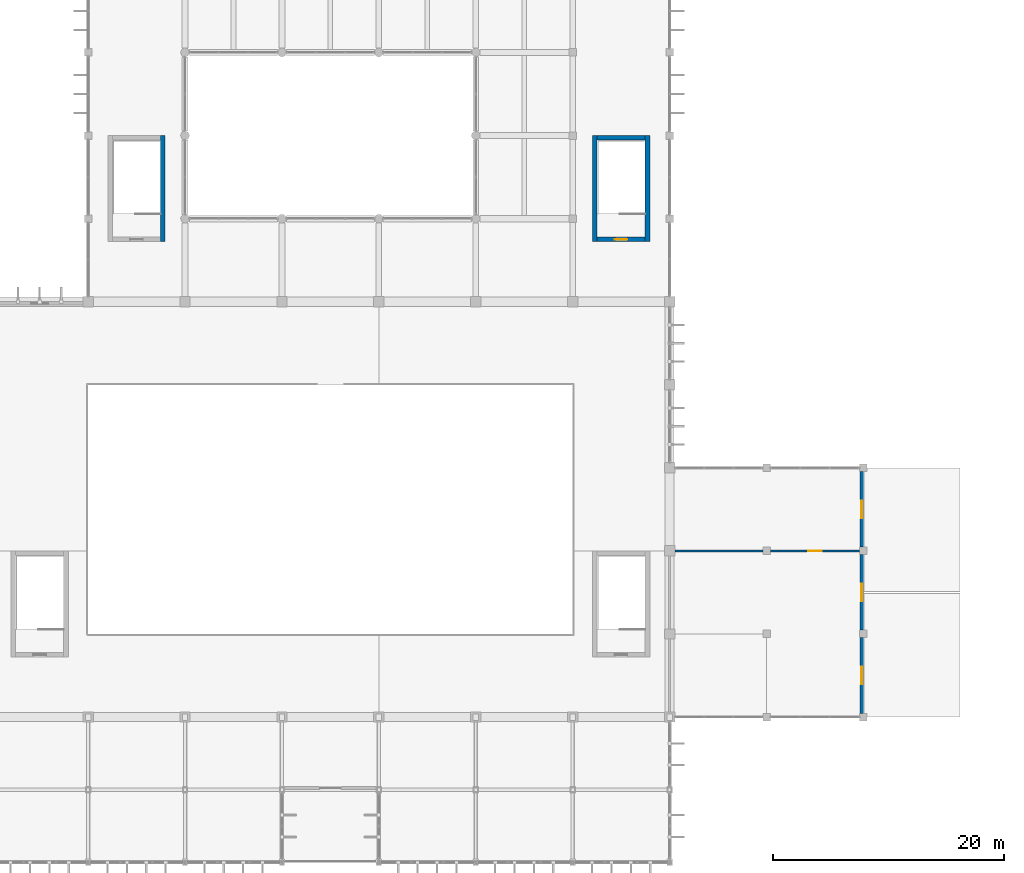
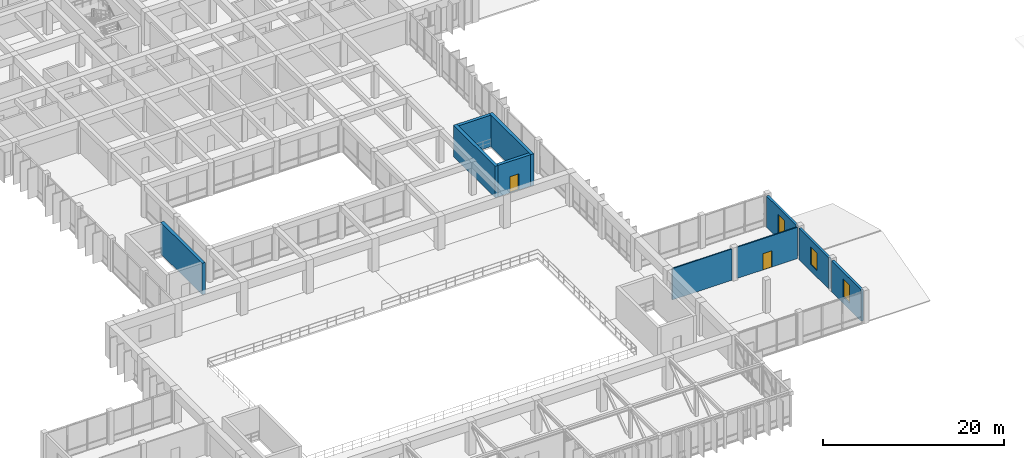
# One storey, part 27 of 40: 10 walls, 3 windows, 2 doors, 5 openings.
"""IFC4 building model written with IfcOpenShell, lengths in metres."""

from ifc_helpers import new_model, si_unit, direction, frame, frame_2d, origin, place, context, subcontext, project, spatial, rectangle, extrude, material, layer, layer_set, type_object, element, fill, save


model = new_model("IFC4")

# Units and contexts
model_context = context("Model", 3, precision=1e-05, world=origin(), true_north=direction((0.0, 1.0)))
body_context = subcontext(model_context, "Body", "Model", "MODEL_VIEW")
ifc_project = project(units=[si_unit("LENGTHUNIT", "METRE"), si_unit("AREAUNIT", "SQUARE_METRE"), si_unit("VOLUMEUNIT", "CUBIC_METRE"), si_unit("PLANEANGLEUNIT", "RADIAN"), si_unit("MASSUNIT", "GRAM", prefix="KILO")], contexts=[model_context])

# Site, building, storey
site_placement = place(None, origin())
site = spatial("IfcSite", under=ifc_project, at=site_placement, CompositionType="ELEMENT")
building_placement = place(site_placement, origin())
building = spatial("IfcBuilding", under=site, at=building_placement, Name="Kenerak Square Central Library", CompositionType="ELEMENT")
storey_placement = place(building_placement, frame((0.0, 0.0, 14.39990234375)))
storey = spatial("IfcBuildingStorey", under=building, at=storey_placement, Name="L03", CompositionType="ELEMENT", Elevation=14.39990234375)

# Wall
ifc_material_1 = material(Name="Precast concrete C40/50", Category="concrete")
ifc_layer_1 = layer(ifc_material_1, 0.14990234375)
ifc_layer_set_1 = layer_set([ifc_layer_1], Name="Precast concrete C40/50")
wall_type_1 = type_object("IfcWallType", Name="Acoustic Blockwork Partition IW-150 C40/50", PredefinedType="PARTITIONING", material=ifc_layer_set_1)
wall_1_placement = place(storey_placement, frame((117.64990234375, 31.199951171875, 0.0), z_axis=(0.0, 0.0, 1.0), x_axis=(1.0, 0.0, 0.0)))
element("IfcWall", 1, at=wall_1_placement, inside=storey, type_object=wall_type_1, Name="Interior Wall IW-L03-04-N2-B1", PredefinedType="PARTITIONING", context=body_context, shape_type="SweptSolid", body=[
    extrude(rectangle(XDim=7.625, YDim=0.14990234375, at=frame_2d((3.8125, 0.0))), origin(), (0.0, 0.0, 1.0), 4.22998046875),
])

# Wall, opening, door
wall_2_placement = place(storey_placement, frame((125.925048828125, 31.199951171875, 0.0), z_axis=(0.0, 0.0, 1.0), x_axis=(1.0, 0.0, 0.0)))
wall_2 = element("IfcWall", 2, at=wall_2_placement, inside=storey, type_object=wall_type_1, Name="Interior Wall IW-L03-04-N2-B2", PredefinedType="PARTITIONING", context=body_context, shape_type="SweptSolid", body=[
    extrude(rectangle(XDim=7.75, YDim=0.14990234375, at=frame_2d((3.875, 0.0))), origin(), (0.0, 0.0, 1.0), 4.22998046875),
])
opening_1_placement = place(wall_2_placement, frame((3.300048828125, 0.0, 0.0)))
opening_1 = element("IfcOpeningElement", 3, at=opening_1_placement, cuts=wall_2, Name="Opening ID-05", PredefinedType="OPENING", context=body_context, shape_type="SweptSolid", body=[
    extrude(rectangle(XDim=1.14990234375, YDim=2.199951171875, at=frame_2d((0.574951171875, 1.10009765625))), frame((0.0, 0.0849609375, 0.0), z_axis=(0.0, -1.0, 0.0), x_axis=(1.0, 0.0, 0.0)), (0.0, 0.0, 1.0), 0.169921875),
])
ifc_material_2 = material(Name="Chengal hardwood timber SG1", Category="wood")
door_type_1 = type_object("IfcDoorType", Name="Seminar Room Acoustic Door ID-1150x2200", OperationType="NOTDEFINED", PredefinedType="DOOR", material=ifc_material_2)
door_1_placement = place(opening_1_placement, origin())
door_1 = element("IfcDoor", 4, at=door_1_placement, inside=storey, type_object=door_type_1, Name="Community Workshop and Language Lab East Door", OperationType="SINGLE_SWING_RIGHT", OverallHeight=2.199951171875, OverallWidth=1.14990234375, PredefinedType="DOOR", context=body_context, shape_type="SweptSolid", body=[
    extrude(rectangle(XDim=1.14990234375, YDim=2.199951171875, at=frame_2d((0.574951171875, 1.10009765625))), frame((0.0, 0.02490234375, 0.0), z_axis=(0.0, -1.0, 0.0), x_axis=(1.0, 0.0, 0.0)), (0.0, 0.0, 1.0), 0.050048828125),
])
fill(opening_1, door_1)

# Wall, opening, window
ifc_material_3 = material(Name="Concrete C40/50", Category="concrete")
ifc_layer_2 = layer(ifc_material_3, 0.300048828125)
ifc_layer_set_2 = layer_set([ifc_layer_2], Name="Concrete C40/50")
wall_type_2 = type_object("IfcWallType", Name="Board-Marked Brutalist Facade Wall EW-300 C40/50", PredefinedType="SOLIDWALL", material=ifc_layer_set_2)
wall_3_placement = place(storey_placement, frame((133.85009765625, 38.074951171875, 0.0), z_axis=(0.0, 0.0, 1.0), x_axis=(0.0, -1.0, 0.0)))
wall_3 = element("IfcWall", 5, at=wall_3_placement, inside=storey, type_object=wall_type_2, Name="Exterior Facade Wall L03 0211", PredefinedType="SOLIDWALL", context=body_context, shape_type="SweptSolid", body=[
    extrude(rectangle(XDim=6.550048828125, YDim=0.300048828125, at=frame_2d((3.27490234375, 0.0))), origin(), (0.0, 0.0, 1.0), 4.22998046875),
])
opening_2_placement = place(wall_3_placement, frame((2.52490234375, 0.0, 0.89990234375)))
opening_2 = element("IfcOpeningElement", 6, at=opening_2_placement, cuts=wall_3, Name="Opening W-07", PredefinedType="OPENING", context=body_context, shape_type="SweptSolid", body=[
    extrude(rectangle(XDim=1.5, YDim=2.39990234375, at=frame_2d((0.75, 1.199951171875))), frame((0.0, 0.159912109375, 0.0), z_axis=(0.0, -1.0, 0.0), x_axis=(1.0, 0.0, 0.0)), (0.0, 0.0, 1.0), 0.320068359375),
])
ifc_material_4 = material(Name="Solar-control low-E laminated double glazing", Category="glass")
window_type = type_object("IfcWindowType", Name="Humanities Reading Window W-07 1500x2400", PartitioningType="SINGLE_PANEL", PredefinedType="WINDOW", material=ifc_material_4)
window_1_placement = place(opening_2_placement, origin())
window_1 = element("IfcWindow", 7, at=window_1_placement, inside=storey, type_object=window_type, Name="Window W-07 L03 0232", OverallHeight=2.39990234375, OverallWidth=1.5, PartitioningType="SINGLE_PANEL", PredefinedType="WINDOW", context=body_context, shape_type="SweptSolid", body=[
    extrude(rectangle(XDim=1.5, YDim=2.39990234375, at=frame_2d((0.75, 1.199951171875))), frame((0.0, 0.030029296875, 0.0), z_axis=(0.0, -1.0, 0.0), x_axis=(1.0, 0.0, 0.0)), (0.0, 0.0, 1.0), 0.06005859375),
])
fill(opening_2, window_1)

wall_4_placement = place(storey_placement, frame((133.85009765625, 30.875, 0.0), z_axis=(0.0, 0.0, 1.0), x_axis=(0.0, -1.0, 0.0)))
wall_4 = element("IfcWall", 8, at=wall_4_placement, inside=storey, type_object=wall_type_2, Name="Exterior Facade Wall L03 0212", PredefinedType="SOLIDWALL", context=body_context, shape_type="SweptSolid", body=[
    extrude(rectangle(XDim=6.550048828125, YDim=0.300048828125, at=frame_2d((3.27490234375, 0.0))), origin(), (0.0, 0.0, 1.0), 4.22998046875),
])
opening_3_placement = place(wall_4_placement, frame((2.52490234375, 0.0, 0.89990234375)))
opening_3 = element("IfcOpeningElement", 9, at=opening_3_placement, cuts=wall_4, Name="Opening W-07", PredefinedType="OPENING", context=body_context, shape_type="SweptSolid", body=[
    extrude(rectangle(XDim=1.5, YDim=2.39990234375, at=frame_2d((0.75, 1.199951171875))), frame((0.0, 0.159912109375, 0.0), z_axis=(0.0, -1.0, 0.0), x_axis=(1.0, 0.0, 0.0)), (0.0, 0.0, 1.0), 0.320068359375),
])
window_2_placement = place(opening_3_placement, origin())
window_2 = element("IfcWindow", 10, at=window_2_placement, inside=storey, type_object=window_type, Name="Window W-07 L03 0233", OverallHeight=2.39990234375, OverallWidth=1.5, PartitioningType="SINGLE_PANEL", PredefinedType="WINDOW", context=body_context, shape_type="SweptSolid", body=[
    extrude(rectangle(XDim=1.5, YDim=2.39990234375, at=frame_2d((0.75, 1.199951171875))), frame((0.0, 0.030029296875, 0.0), z_axis=(0.0, -1.0, 0.0), x_axis=(1.0, 0.0, 0.0)), (0.0, 0.0, 1.0), 0.06005859375),
])
fill(opening_3, window_2)

wall_5_placement = place(storey_placement, frame((133.85009765625, 23.675048828125, 0.0), z_axis=(0.0, 0.0, 1.0), x_axis=(0.0, -1.0, 0.0)))
wall_5 = element("IfcWall", 11, at=wall_5_placement, inside=storey, type_object=wall_type_2, Name="Exterior Facade Wall L03 0213", PredefinedType="SOLIDWALL", context=body_context, shape_type="SweptSolid", body=[
    extrude(rectangle(XDim=6.550048828125, YDim=0.300048828125, at=frame_2d((3.27490234375, 0.0))), origin(), (0.0, 0.0, 1.0), 4.22998046875),
])
opening_4_placement = place(wall_5_placement, frame((2.52490234375, 0.0, 0.89990234375)))
opening_4 = element("IfcOpeningElement", 12, at=opening_4_placement, cuts=wall_5, Name="Opening W-07", PredefinedType="OPENING", context=body_context, shape_type="SweptSolid", body=[
    extrude(rectangle(XDim=1.5, YDim=2.39990234375, at=frame_2d((0.75, 1.199951171875))), frame((0.0, 0.159912109375, 0.0), z_axis=(0.0, -1.0, 0.0), x_axis=(1.0, 0.0, 0.0)), (0.0, 0.0, 1.0), 0.320068359375),
])
window_3_placement = place(opening_4_placement, origin())
window_3 = element("IfcWindow", 13, at=window_3_placement, inside=storey, type_object=window_type, Name="Window W-07 L03 0234", OverallHeight=2.39990234375, OverallWidth=1.5, PartitioningType="SINGLE_PANEL", PredefinedType="WINDOW", context=body_context, shape_type="SweptSolid", body=[
    extrude(rectangle(XDim=1.5, YDim=2.39990234375, at=frame_2d((0.75, 1.199951171875))), frame((0.0, 0.030029296875, 0.0), z_axis=(0.0, -1.0, 0.0), x_axis=(1.0, 0.0, 0.0)), (0.0, 0.0, 1.0), 0.06005859375),
])
fill(opening_4, window_3)

# Walls
ifc_layer_3 = layer(ifc_material_3, 0.39990234375)
ifc_layer_set_3 = layer_set([ifc_layer_3], Name="Concrete C40/50")
wall_type_3 = type_object("IfcWallType", Name="Core Shear Wall CW-400 C40/50", PredefinedType="SHEAR", material=ifc_layer_set_3)
for number, where, z_axis, x_axis, name in (
    (14, (73.280029296875, 67.199951171875, 0.0), (0.0, 0.0, 1.0), (0.0, -1.0, 0.0), "Core Wall CW-C8 L03 East"),
    (15, (110.719970703125, 58.0, 0.0), (0.0, 0.0, 1.0), (0.0, 1.0, 0.0), "Core Wall CW-C9 L03 West"),
    (16, (115.280029296875, 67.199951171875, 0.0), (0.0, 0.0, 1.0), (0.0, -1.0, 0.0), "Core Wall CW-C9 L03 East"),
):
    element("IfcWall", number, at=place(storey_placement, frame(where, z_axis=z_axis, x_axis=x_axis)), inside=storey, type_object=wall_type_3, Name=name, PredefinedType="SHEAR", context=body_context, shape_type="SweptSolid", body=[
        extrude(rectangle(XDim=9.199951171875, YDim=0.39990234375, at=frame_2d((4.60009765625, 0.0))), origin(), (0.0, 0.0, 1.0), 4.255126953125),
    ])

# Wall, opening, door
wall_6_placement = place(storey_placement, frame((115.080078125, 58.199951171875, 0.0), z_axis=(0.0, 0.0, 1.0), x_axis=(-1.0, 0.0, 0.0)))
wall_6 = element("IfcWall", 17, at=wall_6_placement, inside=storey, type_object=wall_type_3, Name="Core Wall CW-C9 L03 South", PredefinedType="SHEAR", context=body_context, shape_type="SweptSolid", body=[
    extrude(rectangle(XDim=4.16015625, YDim=0.39990234375, at=frame_2d((2.080078125, 0.0))), origin(), (0.0, 0.0, 1.0), 4.255126953125),
])
opening_5_placement = place(wall_6_placement, frame((1.530029296875, 0.0, 0.0)))
opening_5 = element("IfcOpeningElement", 18, at=opening_5_placement, cuts=wall_6, Name="Opening D-ST1", PredefinedType="OPENING", context=body_context, shape_type="SweptSolid", body=[
    extrude(rectangle(XDim=1.10009765625, YDim=2.199951171875, at=frame_2d((0.550048828125, 1.10009765625))), frame((0.0, 0.2099609375, 0.0), z_axis=(0.0, -1.0, 0.0), x_axis=(1.0, 0.0, 0.0)), (0.0, 0.0, 1.0), 0.419921875),
])
ifc_material_5 = material(Name="Steel S355", Category="steel")
door_type_2 = type_object("IfcDoorType", Name="Protected Stair Fire Door FD-1100x2200 FD60S", OperationType="NOTDEFINED", PredefinedType="DOOR", material=ifc_material_5)
door_2_placement = place(opening_5_placement, frame((1.10009765625, 0.0, 0.0), z_axis=(0.0, 0.0, 1.0), x_axis=(-1.0, 0.0, 0.0)))
door_2 = element("IfcDoor", 19, at=door_2_placement, inside=storey, type_object=door_type_2, Name="Stair Door ST-09 L03", OperationType="SINGLE_SWING_LEFT", OverallHeight=2.199951171875, OverallWidth=1.10009765625, PredefinedType="DOOR", context=body_context, shape_type="SweptSolid", body=[
    extrude(rectangle(XDim=1.10009765625, YDim=2.199951171875, at=frame_2d((0.550048828125, 1.10009765625))), frame((0.0, 0.02490234375, 0.0), z_axis=(0.0, -1.0, 0.0), x_axis=(1.0, 0.0, 0.0)), (0.0, 0.0, 1.0), 0.050048828125),
])
fill(opening_5, door_2)

# Wall
wall_7_placement = place(storey_placement, frame((110.919921875, 67.0, 0.0), z_axis=(0.0, 0.0, 1.0), x_axis=(1.0, 0.0, 0.0)))
element("IfcWall", 20, at=wall_7_placement, inside=storey, type_object=wall_type_3, Name="Core Wall CW-C9 L03 North", PredefinedType="SHEAR", context=body_context, shape_type="SweptSolid", body=[
    extrude(rectangle(XDim=4.16015625, YDim=0.39990234375, at=frame_2d((2.080078125, 0.0))), origin(), (0.0, 0.0, 1.0), 4.255126953125),
])

save(model, "model.ifc")
